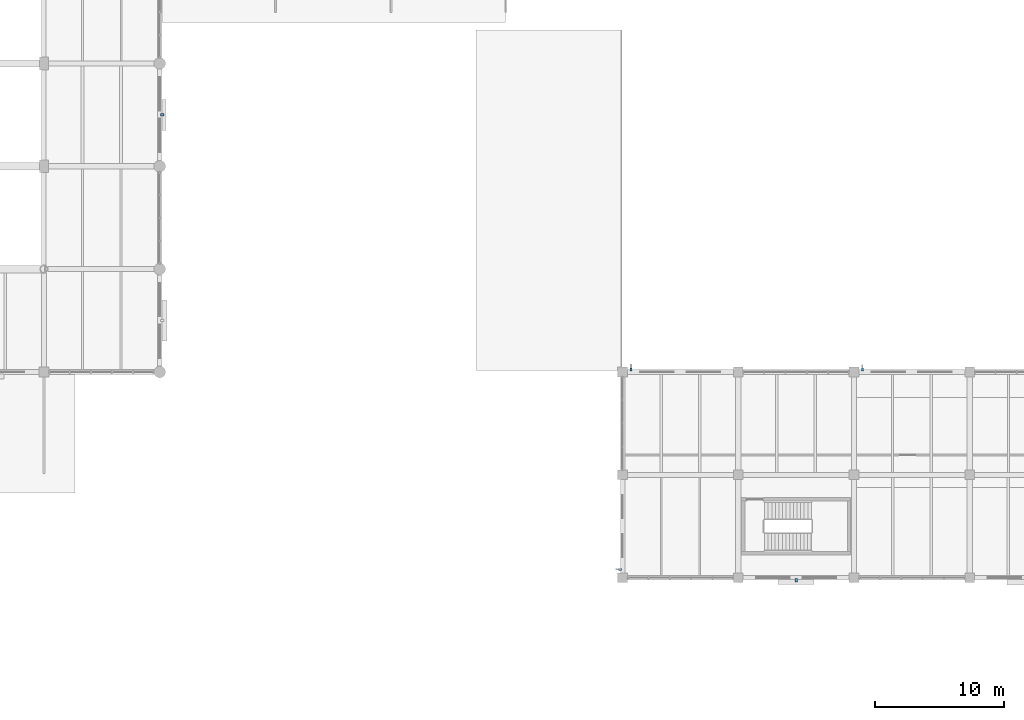
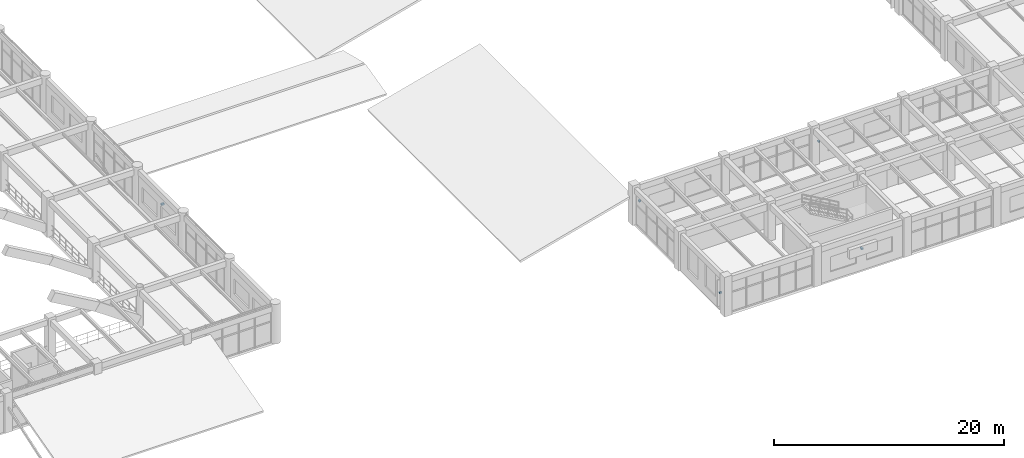
# One storey, part 133 of 148: 5 discrete accessories.
"""IFC4 building model written with IfcOpenShell, lengths in metres."""

from ifc_helpers import new_model, si_unit, derived_unit, direction, frame, origin, origin_2d, place, context, subcontext, project, spatial, rectangle, extrude, material, type_object, element, save


model = new_model("IFC4")

# Units and contexts
model_context = context("Model", 3, precision=1e-05, world=origin(), true_north=direction((0.0, 1.0)))
body_context = subcontext(model_context, "Body", "Model", "MODEL_VIEW")
ifc_project = project(units=[si_unit("LENGTHUNIT", "METRE"), si_unit("AREAUNIT", "SQUARE_METRE"), si_unit("VOLUMEUNIT", "CUBIC_METRE"), si_unit("PLANEANGLEUNIT", "RADIAN"), si_unit("MASSUNIT", "GRAM", prefix="KILO"), derived_unit("THERMALTRANSMITTANCEUNIT", [(si_unit("MASSUNIT", "GRAM", prefix="KILO"), 1), (si_unit("TIMEUNIT", "SECOND"), -3), (si_unit("THERMODYNAMICTEMPERATUREUNIT", "KELVIN"), -1)])], contexts=[model_context])

# Site, building, storey
site_placement = place(None, origin())
site = spatial("IfcSite", under=ifc_project, at=site_placement, CompositionType="ELEMENT")
building_placement = place(site_placement, origin())
building = spatial("IfcBuilding", under=site, at=building_placement, Name="Zhenchuan Archway Interchange", CompositionType="ELEMENT")
storey_placement = place(building_placement, frame((0.0, 0.0, 10.199951171875)))
storey = spatial("IfcBuildingStorey", under=building, at=storey_placement, Name="L02", CompositionType="ELEMENT", Elevation=10.199951171875)

# Discrete accessories
ifc_material = material(Name="Stainless Steel 316", Category="steel")
discrete_accessory_type_1 = type_object("IfcDiscreteAccessoryType", Name="BRK_SHD_1", PredefinedType="BRACKET", material=ifc_material)
for number, where, z_axis, x_axis, name in (
    (1, (107.800048828125, 8.653076171875, 1.8701171875), (0.0, 0.0, 1.0), (0.0, 1.0, 0.0), "Solar fin stainless fixing bracket L02-097"),
    (2, (108.653076171875, 24.199951171875, 1.8701171875), (0.0, 0.0, 1.0), (1.0, 0.0, 0.0), "Solar fin stainless fixing bracket L02-098"),
    (3, (126.653076171875, 24.199951171875, 1.8701171875), (0.0, 0.0, 1.0), (1.0, 0.0, 0.0), "Solar fin stainless fixing bracket L02-099"),
):
    element("IfcDiscreteAccessory", number, at=place(storey_placement, frame(where, z_axis=z_axis, x_axis=x_axis)), inside=storey, type_object=discrete_accessory_type_1, Name=name, PredefinedType="BRACKET", context=body_context, shape_type="SweptSolid", body=[
        extrude(rectangle(XDim=0.159912109375, YDim=0.239990234375, at=origin_2d()), origin(), (0.0, 0.0, 1.0), 0.159912109375),
    ])
discrete_accessory_type_2 = type_object("IfcDiscreteAccessoryType", Name="BRK_SHD_2", PredefinedType="BRACKET", material=ifc_material)
for number, where, z_axis, x_axis, name in (
    (4, (72.2099609375, 44.0, 2.26025390625), (0.0, 0.0, 1.0), (0.0, -1.0, 0.0), "Storm-louvre stainless fixing bracket L02-073"),
    (5, (121.5, 7.800048828125, 2.26025390625), (0.0, 0.0, 1.0), (-1.0, 0.0, 0.0), "Storm-louvre stainless fixing bracket L02-096"),
):
    element("IfcDiscreteAccessory", number, at=place(storey_placement, frame(where, z_axis=z_axis, x_axis=x_axis)), inside=storey, type_object=discrete_accessory_type_2, Name=name, PredefinedType="BRACKET", context=body_context, shape_type="SweptSolid", body=[
        extrude(rectangle(XDim=0.179931640625, YDim=0.280029296875, at=origin_2d()), origin(), (0.0, 0.0, 1.0), 0.179931640625),
    ])

save(model, "model.ifc")
